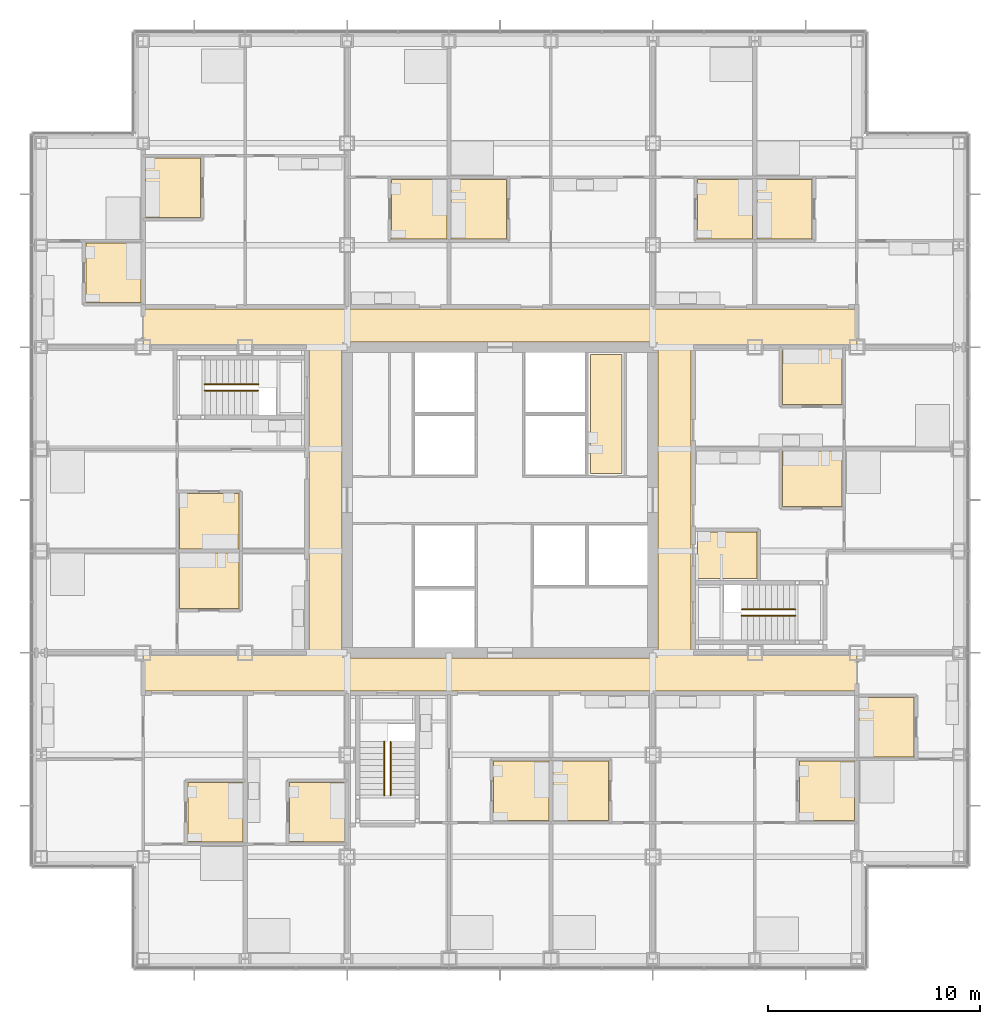
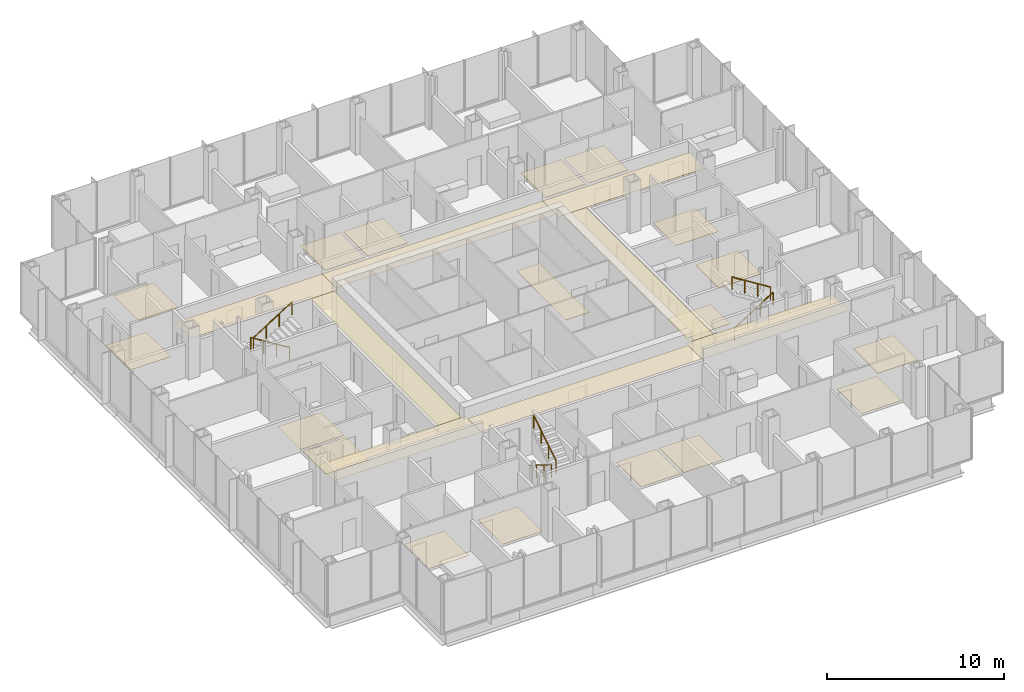
# One storey, part 19 of 21: 26 coverings, 6 railings.
"""IFC4 building model written with IfcOpenShell, lengths in metres."""

from ifc_helpers import new_model, si_unit, direction, frame, origin, origin_2d, place, context, subcontext, project, spatial, polyline, circle, outline, extrude, material, layer, layer_set, type_object, element, save


model = new_model("IFC4")

# Units and contexts
model_context = context("Model", 3, precision=1e-05, world=origin(), true_north=direction((0.0, 1.0)))
body_context = subcontext(model_context, "Body", "Model", "MODEL_VIEW")
ifc_project = project(units=[si_unit("LENGTHUNIT", "METRE"), si_unit("AREAUNIT", "SQUARE_METRE"), si_unit("VOLUMEUNIT", "CUBIC_METRE"), si_unit("PLANEANGLEUNIT", "RADIAN"), si_unit("MASSUNIT", "GRAM", prefix="KILO")], contexts=[model_context])

# Site, building, storey
site_placement = place(None, origin())
site = spatial("IfcSite", under=ifc_project, at=site_placement, CompositionType="ELEMENT")
building_placement = place(site_placement, origin())
building = spatial("IfcBuilding", under=site, at=building_placement, Name="Kvirike Care Tower", CompositionType="ELEMENT")
storey_placement = place(building_placement, frame((0.0, 0.0, 27.0)))
storey = spatial("IfcBuildingStorey", under=building, at=storey_placement, Name="L06", CompositionType="ELEMENT", Elevation=27.0)

# Coverings
ifc_material_1 = material(Name="Perforated metal ceiling tile", Category="aluminium")
ifc_layer_1 = layer(ifc_material_1, 0.014892578125)
ifc_layer_set_1 = layer_set([ifc_layer_1], Name="CORRIDOR CEILING 15")
covering_type_1 = type_object("IfcCoveringType", Name="CORRIDOR CEILING 15", PredefinedType="CEILING", material=ifc_layer_set_1)
covering_1_placement = place(storey_placement, frame((0.0, 0.0, 2.5)))
element("IfcCovering", 1, at=covering_1_placement, inside=storey, type_object=covering_type_1, Name="Corridor ceiling L06", PredefinedType="CEILING", context=body_context, shape_type="SweptSolid", body=[
    extrude(outline(polyline([(4.800048828125, 27.0), (4.800048828125, 28.800048828125), (14.39990234375, 28.800048828125), (14.39990234375, 27.0), (4.800048828125, 27.0)])), origin(), (0.0, 0.0, 1.0), 0.014892578125),
])
covering_2_placement = place(storey_placement, frame((0.0, 0.0, 2.5)))
element("IfcCovering", 2, at=covering_2_placement, inside=storey, type_object=covering_type_1, Name="Corridor ceiling L06", PredefinedType="CEILING", context=body_context, shape_type="SweptSolid", body=[
    extrude(outline(polyline([(12.60009765625, 43.199951171875), (14.14990234375, 43.199951171875), (14.14990234375, 28.800048828125), (12.60009765625, 28.800048828125), (12.60009765625, 43.199951171875)])), origin(), (0.0, 0.0, 1.0), 0.014892578125),
])
covering_3_placement = place(storey_placement, frame((0.0, 0.0, 2.5)))
element("IfcCovering", 3, at=covering_3_placement, inside=storey, type_object=covering_type_1, Name="Corridor ceiling L06", PredefinedType="CEILING", context=body_context, shape_type="SweptSolid", body=[
    extrude(outline(polyline([(14.39990234375, 45.0), (14.39990234375, 43.199951171875), (4.800048828125, 43.199951171875), (4.800048828125, 45.0), (14.39990234375, 45.0)])), origin(), (0.0, 0.0, 1.0), 0.014892578125),
])
covering_4_placement = place(storey_placement, frame((0.0, 0.0, 2.5)))
element("IfcCovering", 4, at=covering_4_placement, inside=storey, type_object=covering_type_1, Name="Corridor ceiling L06", PredefinedType="CEILING", context=body_context, shape_type="SweptSolid", body=[
    extrude(outline(polyline([(14.39990234375, 27.0), (14.39990234375, 28.550048828125), (28.800048828125, 28.550048828125), (28.800048828125, 27.0), (14.39990234375, 27.0)])), origin(), (0.0, 0.0, 1.0), 0.014892578125),
])
covering_5_placement = place(storey_placement, frame((0.0, 0.0, 2.5)))
element("IfcCovering", 5, at=covering_5_placement, inside=storey, type_object=covering_type_1, Name="Corridor ceiling L06", PredefinedType="CEILING", context=body_context, shape_type="SweptSolid", body=[
    extrude(outline(polyline([(28.800048828125, 45.0), (28.800048828125, 43.449951171875), (14.39990234375, 43.449951171875), (14.39990234375, 45.0), (28.800048828125, 45.0)])), origin(), (0.0, 0.0, 1.0), 0.014892578125),
])
covering_6_placement = place(storey_placement, frame((0.0, 0.0, 2.5)))
element("IfcCovering", 6, at=covering_6_placement, inside=storey, type_object=covering_type_1, Name="Corridor ceiling L06", PredefinedType="CEILING", context=body_context, shape_type="SweptSolid", body=[
    extrude(outline(polyline([(28.800048828125, 27.0), (28.800048828125, 28.800048828125), (38.39990234375, 28.800048828125), (38.39990234375, 27.0), (28.800048828125, 27.0)])), origin(), (0.0, 0.0, 1.0), 0.014892578125),
])
covering_7_placement = place(storey_placement, frame((0.0, 0.0, 2.5)))
element("IfcCovering", 7, at=covering_7_placement, inside=storey, type_object=covering_type_1, Name="Corridor ceiling L06", PredefinedType="CEILING", context=body_context, shape_type="SweptSolid", body=[
    extrude(outline(polyline([(30.60009765625, 28.800048828125), (29.050048828125, 28.800048828125), (29.050048828125, 43.199951171875), (30.60009765625, 43.199951171875), (30.60009765625, 28.800048828125)])), origin(), (0.0, 0.0, 1.0), 0.014892578125),
])
covering_8_placement = place(storey_placement, frame((0.0, 0.0, 2.5)))
element("IfcCovering", 8, at=covering_8_placement, inside=storey, type_object=covering_type_1, Name="Corridor ceiling L06", PredefinedType="CEILING", context=body_context, shape_type="SweptSolid", body=[
    extrude(outline(polyline([(38.39990234375, 45.0), (38.39990234375, 43.199951171875), (28.800048828125, 43.199951171875), (28.800048828125, 45.0), (38.39990234375, 45.0)])), origin(), (0.0, 0.0, 1.0), 0.014892578125),
])

# Railings
ifc_material_2 = material(Name="Stainless steel handrail", Category="steel")
railing_type = type_object("IfcRailingType", Name="STAIR HANDRAIL 900", PredefinedType="HANDRAIL", material=ifc_material_2)
railing_1_placement = place(storey_placement, frame((10.219970703125, 41.449951171875, 0.175048828125)))
element("IfcRailing", 9, at=railing_1_placement, inside=storey, type_object=railing_type, Name="Stair 1 handrail L06 flight 1", PredefinedType="HANDRAIL", context=body_context, shape_type="SweptSolid", body=[
    extrude(circle(Radius=0.02490234375, at=origin_2d()), frame((0.0, 0.0, 0.875), z_axis=(-0.848007534815, 0.0, 0.529984170421), x_axis=(0.0, -1.0, 0.0)), (0.0, 0.0, 1.0), 2.9716796875),
    extrude(circle(Radius=0.02001953125, at=origin_2d()), origin(), (0.0, 0.0, 1.0), 0.849853515625),
    extrude(circle(Radius=0.02001953125, at=origin_2d()), frame((-0.840087890625, 0.0, 0.52490234375)), (0.0, 0.0, 1.0), 0.849853515625),
    extrude(circle(Radius=0.02001953125, at=origin_2d()), frame((-1.679931640625, 0.0, 1.050048828125)), (0.0, 0.0, 1.0), 0.849853515625),
    extrude(circle(Radius=0.02001953125, at=origin_2d()), frame((-2.52001953125, 0.0, 1.574951171875)), (0.0, 0.0, 1.0), 0.849853515625),
])
for number, where, name in (
    (10, (7.699951171875, 41.14990234375, 1.925048828125), "Stair 1 handrail L06 flight 2"),
    (11, (32.97998046875, 30.550048828125, 0.175048828125), "Stair 2 handrail L06 flight 1"),
):
    element("IfcRailing", number, at=place(storey_placement, frame(where)), inside=storey, type_object=railing_type, Name=name, PredefinedType="HANDRAIL", context=body_context, shape_type="SweptSolid", body=[
        extrude(circle(Radius=0.02490234375, at=origin_2d()), frame((0.0, 0.0, 0.875), z_axis=(0.848007534815, 0.0, 0.529984170421), x_axis=(0.0, 1.0, 0.0)), (0.0, 0.0, 1.0), 2.9716796875),
        extrude(circle(Radius=0.02001953125, at=origin_2d()), origin(), (0.0, 0.0, 1.0), 0.849853515625),
        extrude(circle(Radius=0.02001953125, at=origin_2d()), frame((0.840087890625, 0.0, 0.52490234375)), (0.0, 0.0, 1.0), 0.849853515625),
        extrude(circle(Radius=0.02001953125, at=origin_2d()), frame((1.679931640625, 0.0, 1.050048828125)), (0.0, 0.0, 1.0), 0.849853515625),
        extrude(circle(Radius=0.02001953125, at=origin_2d()), frame((2.52001953125, 0.0, 1.574951171875)), (0.0, 0.0, 1.0), 0.849853515625),
    ])
railing_2_placement = place(storey_placement, frame((35.5, 30.85009765625, 1.925048828125)))
element("IfcRailing", 12, at=railing_2_placement, inside=storey, type_object=railing_type, Name="Stair 2 handrail L06 flight 2", PredefinedType="HANDRAIL", context=body_context, shape_type="SweptSolid", body=[
    extrude(circle(Radius=0.02490234375, at=origin_2d()), frame((0.0, 0.0, 0.875), z_axis=(-0.848007534815, 0.0, 0.529984170421), x_axis=(0.0, -1.0, 0.0)), (0.0, 0.0, 1.0), 2.9716796875),
    extrude(circle(Radius=0.02001953125, at=origin_2d()), origin(), (0.0, 0.0, 1.0), 0.849853515625),
    extrude(circle(Radius=0.02001953125, at=origin_2d()), frame((-0.840087890625, 0.0, 0.52490234375)), (0.0, 0.0, 1.0), 0.849853515625),
    extrude(circle(Radius=0.02001953125, at=origin_2d()), frame((-1.679931640625, 0.0, 1.050048828125)), (0.0, 0.0, 1.0), 0.849853515625),
    extrude(circle(Radius=0.02001953125, at=origin_2d()), frame((-2.52001953125, 0.0, 1.574951171875)), (0.0, 0.0, 1.0), 0.849853515625),
])
railing_3_placement = place(storey_placement, frame((16.14990234375, 24.6201171875, 0.175048828125)))
element("IfcRailing", 13, at=railing_3_placement, inside=storey, type_object=railing_type, Name="Stair 5 handrail L06 flight 1", PredefinedType="HANDRAIL", context=body_context, shape_type="SweptSolid", body=[
    extrude(circle(Radius=0.02490234375, at=origin_2d()), frame((0.0, 0.0, 0.875), z_axis=(0.0, -0.848007534815, 0.529984170421), x_axis=(1.0, 0.0, 0.0)), (0.0, 0.0, 1.0), 2.9716796875),
    extrude(circle(Radius=0.02001953125, at=origin_2d()), origin(), (0.0, 0.0, 1.0), 0.849853515625),
    extrude(circle(Radius=0.02001953125, at=origin_2d()), frame((0.0, -0.840087890625, 0.52490234375)), (0.0, 0.0, 1.0), 0.849853515625),
    extrude(circle(Radius=0.02001953125, at=origin_2d()), frame((0.0, -1.679931640625, 1.050048828125)), (0.0, 0.0, 1.0), 0.849853515625),
    extrude(circle(Radius=0.02001953125, at=origin_2d()), frame((0.0, -2.52001953125, 1.574951171875)), (0.0, 0.0, 1.0), 0.849853515625),
])
railing_4_placement = place(storey_placement, frame((16.449951171875, 22.10009765625, 1.925048828125)))
element("IfcRailing", 14, at=railing_4_placement, inside=storey, type_object=railing_type, Name="Stair 5 handrail L06 flight 2", PredefinedType="HANDRAIL", context=body_context, shape_type="SweptSolid", body=[
    extrude(circle(Radius=0.02490234375, at=origin_2d()), frame((0.0, 0.0, 0.875), z_axis=(0.0, 0.848007534815, 0.529984170421), x_axis=(-1.0, 0.0, 0.0)), (0.0, 0.0, 1.0), 2.9716796875),
    extrude(circle(Radius=0.02001953125, at=origin_2d()), origin(), (0.0, 0.0, 1.0), 0.849853515625),
    extrude(circle(Radius=0.02001953125, at=origin_2d()), frame((0.0, 0.840087890625, 0.52490234375)), (0.0, 0.0, 1.0), 0.849853515625),
    extrude(circle(Radius=0.02001953125, at=origin_2d()), frame((0.0, 1.679931640625, 1.050048828125)), (0.0, 0.0, 1.0), 0.849853515625),
    extrude(circle(Radius=0.02001953125, at=origin_2d()), frame((0.0, 2.52001953125, 1.574951171875)), (0.0, 0.0, 1.0), 0.849853515625),
])

# Coverings
ifc_material_3 = material(Name="Slip-resistant vinyl safety flooring on screed")
ifc_layer_2 = layer(ifc_material_3, 0.02001953125)
ifc_layer_set_2 = layer_set([ifc_layer_2], Name="WET ROOM FLOOR 20")
covering_type_2 = type_object("IfcCoveringType", Name="WET ROOM FLOOR 20", PredefinedType="FLOORING", material=ifc_layer_set_2)
covering_9_placement = place(storey_placement, origin())
element("IfcCovering", 15, at=covering_9_placement, inside=storey, type_object=covering_type_2, Name="Bathroom floor L06-004", PredefinedType="FLOORING", context=body_context, shape_type="SweptSolid", body=[
    extrude(outline(polyline([(6.89990234375, 19.89990234375), (6.89990234375, 22.699951171875), (9.5, 22.699951171875), (9.5, 19.89990234375), (6.89990234375, 19.89990234375)])), origin(), (0.0, 0.0, 1.0), 0.02001953125),
])
covering_10_placement = place(storey_placement, origin())
element("IfcCovering", 16, at=covering_10_placement, inside=storey, type_object=covering_type_2, Name="Bathroom floor L06-008", PredefinedType="FLOORING", context=body_context, shape_type="SweptSolid", body=[
    extrude(outline(polyline([(11.699951171875, 19.89990234375), (11.699951171875, 22.699951171875), (14.300048828125, 22.699951171875), (14.300048828125, 19.89990234375), (11.699951171875, 19.89990234375)])), origin(), (0.0, 0.0, 1.0), 0.02001953125),
])
covering_11_placement = place(storey_placement, origin())
element("IfcCovering", 17, at=covering_11_placement, inside=storey, type_object=covering_type_2, Name="Bathroom floor L06-014", PredefinedType="FLOORING", context=body_context, shape_type="SweptSolid", body=[
    extrude(outline(polyline([(6.5, 36.300048828125), (9.300048828125, 36.300048828125), (9.300048828125, 33.699951171875), (6.5, 33.699951171875), (6.5, 36.300048828125)])), origin(), (0.0, 0.0, 1.0), 0.02001953125),
])
covering_12_placement = place(storey_placement, origin())
element("IfcCovering", 18, at=covering_12_placement, inside=storey, type_object=covering_type_2, Name="Bathroom floor L06-018", PredefinedType="FLOORING", context=body_context, shape_type="SweptSolid", body=[
    extrude(outline(polyline([(6.5, 33.5), (9.300048828125, 33.5), (9.300048828125, 30.89990234375), (6.5, 30.89990234375), (6.5, 33.5)])), origin(), (0.0, 0.0, 1.0), 0.02001953125),
])
covering_13_placement = place(storey_placement, origin())
element("IfcCovering", 19, at=covering_13_placement, inside=storey, type_object=covering_type_2, Name="Bathroom floor L06-023", PredefinedType="FLOORING", context=body_context, shape_type="SweptSolid", body=[
    extrude(outline(polyline([(7.5, 52.10009765625), (7.5, 49.300048828125), (4.89990234375, 49.300048828125), (4.89990234375, 52.10009765625), (7.5, 52.10009765625)])), origin(), (0.0, 0.0, 1.0), 0.02001953125),
])
covering_14_placement = place(storey_placement, origin())
element("IfcCovering", 20, at=covering_14_placement, inside=storey, type_object=covering_type_2, Name="Bathroom floor L06-027", PredefinedType="FLOORING", context=body_context, shape_type="SweptSolid", body=[
    extrude(outline(polyline([(4.699951171875, 48.10009765625), (4.699951171875, 45.300048828125), (2.10009765625, 45.300048828125), (2.10009765625, 48.10009765625), (4.699951171875, 48.10009765625)])), origin(), (0.0, 0.0, 1.0), 0.02001953125),
])
covering_15_placement = place(storey_placement, origin())
element("IfcCovering", 21, at=covering_15_placement, inside=storey, type_object=covering_type_2, Name="Bathroom floor L06-033", PredefinedType="FLOORING", context=body_context, shape_type="SweptSolid", body=[
    extrude(outline(polyline([(21.300048828125, 20.89990234375), (21.300048828125, 23.699951171875), (23.89990234375, 23.699951171875), (23.89990234375, 20.89990234375), (21.300048828125, 20.89990234375)])), origin(), (0.0, 0.0, 1.0), 0.02001953125),
])
covering_16_placement = place(storey_placement, origin())
element("IfcCovering", 22, at=covering_16_placement, inside=storey, type_object=covering_type_2, Name="Bathroom floor L06-037", PredefinedType="FLOORING", context=body_context, shape_type="SweptSolid", body=[
    extrude(outline(polyline([(24.10009765625, 20.89990234375), (24.10009765625, 23.699951171875), (26.699951171875, 23.699951171875), (26.699951171875, 20.89990234375), (24.10009765625, 20.89990234375)])), origin(), (0.0, 0.0, 1.0), 0.02001953125),
])
covering_17_placement = place(storey_placement, origin())
element("IfcCovering", 23, at=covering_17_placement, inside=storey, type_object=covering_type_2, Name="Bathroom floor L06-042", PredefinedType="FLOORING", context=body_context, shape_type="SweptSolid", body=[
    extrude(outline(polyline([(21.89990234375, 51.10009765625), (21.89990234375, 48.300048828125), (19.300048828125, 48.300048828125), (19.300048828125, 51.10009765625), (21.89990234375, 51.10009765625)])), origin(), (0.0, 0.0, 1.0), 0.02001953125),
])
covering_18_placement = place(storey_placement, origin())
element("IfcCovering", 24, at=covering_18_placement, inside=storey, type_object=covering_type_2, Name="Bathroom floor L06-046", PredefinedType="FLOORING", context=body_context, shape_type="SweptSolid", body=[
    extrude(outline(polyline([(19.10009765625, 51.10009765625), (19.10009765625, 48.300048828125), (16.5, 48.300048828125), (16.5, 51.10009765625), (19.10009765625, 51.10009765625)])), origin(), (0.0, 0.0, 1.0), 0.02001953125),
])
covering_19_placement = place(storey_placement, origin())
element("IfcCovering", 25, at=covering_19_placement, inside=storey, type_object=covering_type_2, Name="Bathroom floor L06-051", PredefinedType="FLOORING", context=body_context, shape_type="SweptSolid", body=[
    extrude(outline(polyline([(35.699951171875, 20.89990234375), (35.699951171875, 23.699951171875), (38.300048828125, 23.699951171875), (38.300048828125, 20.89990234375), (35.699951171875, 20.89990234375)])), origin(), (0.0, 0.0, 1.0), 0.02001953125),
])
covering_20_placement = place(storey_placement, origin())
element("IfcCovering", 26, at=covering_20_placement, inside=storey, type_object=covering_type_2, Name="Bathroom floor L06-055", PredefinedType="FLOORING", context=body_context, shape_type="SweptSolid", body=[
    extrude(outline(polyline([(38.5, 23.89990234375), (38.5, 26.699951171875), (41.10009765625, 26.699951171875), (41.10009765625, 23.89990234375), (38.5, 23.89990234375)])), origin(), (0.0, 0.0, 1.0), 0.02001953125),
])
covering_21_placement = place(storey_placement, origin())
element("IfcCovering", 27, at=covering_21_placement, inside=storey, type_object=covering_type_2, Name="Accessible WC floor L06-061", PredefinedType="FLOORING", context=body_context, shape_type="SweptSolid", body=[
    extrude(outline(polyline([(33.699951171875, 32.300048828125), (30.89990234375, 32.300048828125), (30.89990234375, 34.5), (33.699951171875, 34.5), (33.699951171875, 32.300048828125)])), origin(), (0.0, 0.0, 1.0), 0.02001953125),
])
covering_22_placement = place(storey_placement, origin())
element("IfcCovering", 28, at=covering_22_placement, inside=storey, type_object=covering_type_2, Name="Bathroom floor L06-062", PredefinedType="FLOORING", context=body_context, shape_type="SweptSolid", body=[
    extrude(outline(polyline([(37.699951171875, 35.699951171875), (34.89990234375, 35.699951171875), (34.89990234375, 38.300048828125), (37.699951171875, 38.300048828125), (37.699951171875, 35.699951171875)])), origin(), (0.0, 0.0, 1.0), 0.02001953125),
])
covering_23_placement = place(storey_placement, origin())
element("IfcCovering", 29, at=covering_23_placement, inside=storey, type_object=covering_type_2, Name="Bathroom floor L06-065", PredefinedType="FLOORING", context=body_context, shape_type="SweptSolid", body=[
    extrude(outline(polyline([(37.699951171875, 40.5), (34.89990234375, 40.5), (34.89990234375, 43.10009765625), (37.699951171875, 43.10009765625), (37.699951171875, 40.5)])), origin(), (0.0, 0.0, 1.0), 0.02001953125),
])
covering_24_placement = place(storey_placement, origin())
element("IfcCovering", 30, at=covering_24_placement, inside=storey, type_object=covering_type_2, Name="Bathroom floor L06-070", PredefinedType="FLOORING", context=body_context, shape_type="SweptSolid", body=[
    extrude(outline(polyline([(36.300048828125, 51.10009765625), (36.300048828125, 48.300048828125), (33.699951171875, 48.300048828125), (33.699951171875, 51.10009765625), (36.300048828125, 51.10009765625)])), origin(), (0.0, 0.0, 1.0), 0.02001953125),
])
covering_25_placement = place(storey_placement, origin())
element("IfcCovering", 31, at=covering_25_placement, inside=storey, type_object=covering_type_2, Name="Bathroom floor L06-074", PredefinedType="FLOORING", context=body_context, shape_type="SweptSolid", body=[
    extrude(outline(polyline([(33.5, 51.10009765625), (33.5, 48.300048828125), (30.89990234375, 48.300048828125), (30.89990234375, 51.10009765625), (33.5, 51.10009765625)])), origin(), (0.0, 0.0, 1.0), 0.02001953125),
])
covering_26_placement = place(storey_placement, origin())
element("IfcCovering", 32, at=covering_26_placement, inside=storey, type_object=covering_type_2, Name="Staff WC floor L06-083", PredefinedType="FLOORING", context=body_context, shape_type="SweptSolid", body=[
    extrude(outline(polyline([(27.35009765625, 37.25), (25.85009765625, 37.25), (25.85009765625, 42.85009765625), (27.35009765625, 42.85009765625), (27.35009765625, 37.25)])), origin(), (0.0, 0.0, 1.0), 0.02001953125),
])

save(model, "model.ifc")
